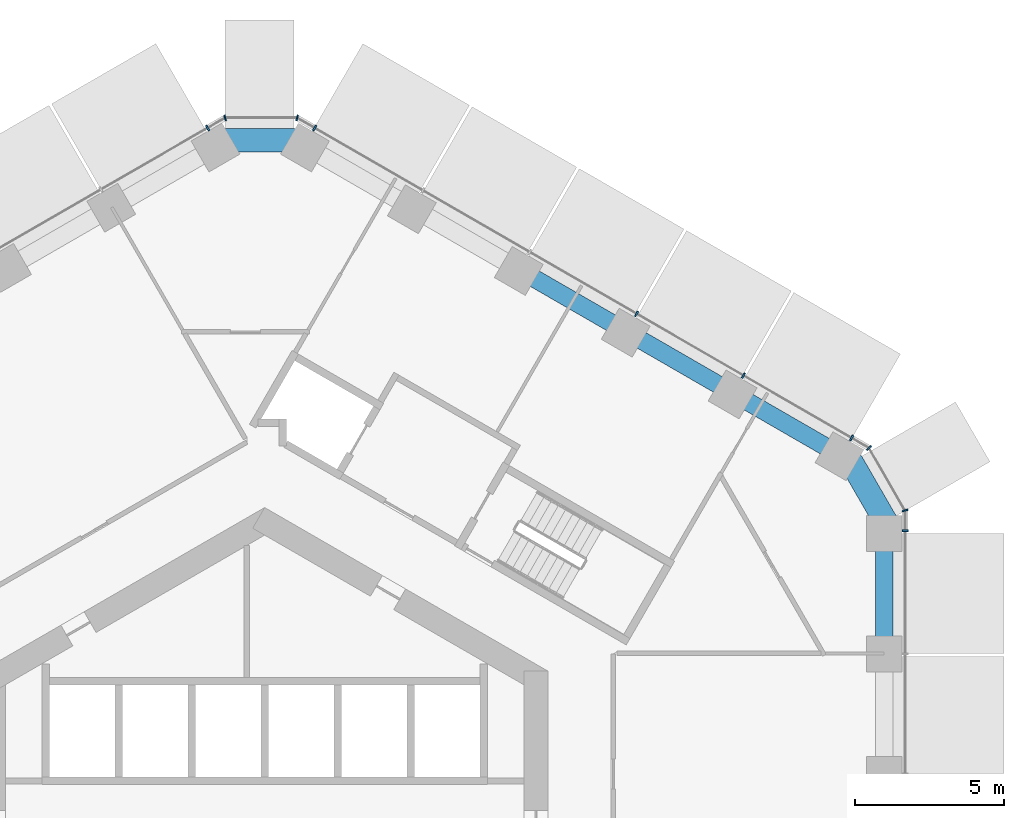
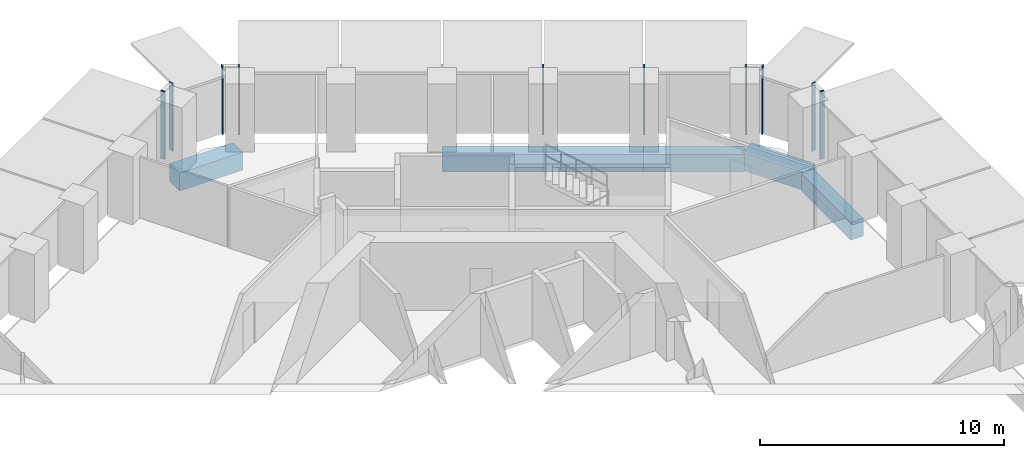
# One storey, part 6 of 19: 10 members, 6 beams, 5 elements without a shape of their own.
"""IFC4 building model written with IfcOpenShell, lengths in metres."""

import ifcopenshell
import ifcopenshell.guid

model = None  # the IFC model being written
_history = None  # IfcOwnerHistory: only IFC2X3 demands one
_inside = {}  # id of a spatial element -> (the spatial element, [elements in it])
_under = {}  # id of a project, library or spatial element -> (it, [spatial elements below it])
_declared = {}  # id of a project -> (the project, [libraries it declares])
_typed = {}  # id of a type object -> (the type object, [elements of that type])
_made_of = {}  # id of a material, layer set ... -> (it, [elements and type objects made of it])


def new_model(schema):
    """Start an empty IFC model of exactly this schema.

    Asked for "IFC4X3", IfcOpenShell would pick the latest addendum, in which some entities
    have other attributes; the version numbers below select the first issue.
    IFC2X3 requires an IfcOwnerHistory on every rooted entity: one is made here for all.
    """
    global model, _history
    if schema == "IFC4X3":
        model = ifcopenshell.file(schema_version=(4, 3, 0, 0))
    else:
        model = ifcopenshell.file(schema=schema)
    _inside.clear()
    _under.clear()
    _declared.clear()
    _typed.clear()
    _made_of.clear()
    _history = None
    if model.schema == "IFC2X3":
        org = make("IfcOrganization", Name="unknown")
        user = make(
            "IfcPersonAndOrganization",
            ThePerson=make("IfcPerson", FamilyName="unknown"),
            TheOrganization=org,
        )
        app = make(
            "IfcApplication",
            ApplicationDeveloper=org,
            Version="unknown",
            ApplicationFullName="unknown",
            ApplicationIdentifier="unknown",
        )
        _history = make(
            "IfcOwnerHistory",
            OwningUser=user,
            OwningApplication=app,
            ChangeAction="ADDED",
            CreationDate=0,
        )
    return model


def make(cls, **values):
    """One entity of the class cls with the attributes given. An attribute that is None is left unset."""
    return model.create_entity(
        cls, **{name: value for name, value in values.items() if value is not None}
    )


def rooted(cls, **values):
    """An entity with a GlobalId (a new one), such as an element, a storey or a relation."""
    return make(cls, GlobalId=ifcopenshell.guid.new(), OwnerHistory=_history, **values)


def si_unit(unit_type, name, prefix=None):
    """IfcSIUnit, for example si_unit("LENGTHUNIT", "METRE", prefix="MILLI")."""
    return make("IfcSIUnit", UnitType=unit_type, Prefix=prefix, Name=name)


def assignment(units):
    """IfcUnitAssignment: the units of a project."""
    return None if units is None else make("IfcUnitAssignment", Units=units)


def point(xyz):
    """IfcCartesianPoint."""
    return None if xyz is None else make("IfcCartesianPoint", Coordinates=xyz)


def direction(xyz):
    """IfcDirection."""
    return None if xyz is None else make("IfcDirection", DirectionRatios=xyz)


def frame(location, z_axis=None, x_axis=None):
    """IfcAxis2Placement3D, a coordinate frame: its origin and axes. An axis left out is left unset."""
    return make(
        "IfcAxis2Placement3D",
        Location=point(location),
        Axis=direction(z_axis),
        RefDirection=direction(x_axis),
    )


def frame_2d(location, x_axis=None):
    """IfcAxis2Placement2D, a coordinate frame in the plane: its origin and x axis."""
    return make(
        "IfcAxis2Placement2D", Location=point(location), RefDirection=direction(x_axis)
    )


def origin():
    """The frame at (0, 0, 0) with its axes left unset."""
    return frame((0.0, 0.0, 0.0))


def origin_2d():
    """The frame at (0, 0) in the plane with its x axis left unset."""
    return frame_2d((0.0, 0.0))


def place(relative_to, where):
    """IfcLocalPlacement: puts the frame where relative to a parent placement (None: the world)."""
    return make(
        "IfcLocalPlacement", PlacementRelTo=relative_to, RelativePlacement=where
    )


def context(
    kind, dimensions, precision=None, world=None, true_north=None, identifier=None
):
    """IfcGeometricRepresentationContext, for example the 3D "Model" context."""
    return make(
        "IfcGeometricRepresentationContext",
        ContextIdentifier=identifier,
        ContextType=kind,
        CoordinateSpaceDimension=dimensions,
        Precision=precision,
        WorldCoordinateSystem=world,
        TrueNorth=true_north,
    )


def subcontext(parent, identifier, kind, view, scale=None):
    """IfcGeometricRepresentationSubContext, for example "Body" below "Model"."""
    return make(
        "IfcGeometricRepresentationSubContext",
        ContextIdentifier=identifier,
        ContextType=kind,
        ParentContext=parent,
        TargetScale=scale,
        TargetView=view,
    )


def project(units=None, contexts=None):
    """IfcProject with its units and contexts."""
    return rooted(
        "IfcProject",
        Name="project",
        RepresentationContexts=contexts,
        UnitsInContext=assignment(units),
    )


def spatial(cls, under=None, at=None, **own):
    """A site, building, storey or space (cls), placed at a placement, below another one or the project."""
    s = rooted(cls, ObjectPlacement=at, **own)
    if under is not None:
        _under.setdefault(under.id(), (under, []))[1].append(s)
    return s


def profile(cls, at=None, kind="AREA", **sizes):
    """A parametric profile (cls). Its sizes go by their IFC names, for example OverallWidth=200.0."""
    return make(cls, ProfileType=kind, Position=at, **sizes)


def rectangle(**sizes):
    """IfcRectangleProfileDef."""
    return profile("IfcRectangleProfileDef", **sizes)


def extrude(swept, where, along, depth):
    """IfcExtrudedAreaSolid: the profile swept, set in the frame where, extruded along a direction by depth."""
    return make(
        "IfcExtrudedAreaSolid",
        SweptArea=swept,
        Position=where,
        ExtrudedDirection=direction(along),
        Depth=depth,
    )


def shape(context_of_items, identifier, shape_type, items):
    """IfcShapeRepresentation: the items that make up one representation, for example the "Body"."""
    return make(
        "IfcShapeRepresentation",
        ContextOfItems=context_of_items,
        RepresentationIdentifier=identifier,
        RepresentationType=shape_type,
        Items=items,
    )


def material(Name=None, Category=None):
    """IfcMaterial."""
    return make("IfcMaterial", Name=Name, Category=Category)


def layer(
    of_material, thickness, ventilated=None, Name=None, Category=None, Priority=None
):
    """IfcMaterialLayer: one layer of a wall or slab, of a material (None: an air gap)."""
    return make(
        "IfcMaterialLayer",
        Material=of_material,
        LayerThickness=thickness,
        IsVentilated=ventilated,
        Name=Name,
        Category=Category,
        Priority=Priority,
    )


def layer_set(layers, Name=None):
    """IfcMaterialLayerSet."""
    return make("IfcMaterialLayerSet", MaterialLayers=layers, LayerSetName=Name)


def material_profile(
    of_material, cross_section, Name=None, Category=None, Priority=None
):
    """IfcMaterialProfile: a cross section and its material."""
    return make(
        "IfcMaterialProfile",
        Name=Name,
        Material=of_material,
        Profile=cross_section,
        Priority=Priority,
        Category=Category,
    )


def profile_set(profiles, Name=None, composite=None):
    """IfcMaterialProfileSet."""
    return make(
        "IfcMaterialProfileSet",
        Name=Name,
        MaterialProfiles=profiles,
        CompositeProfile=composite,
    )


def made_of(thing, what):
    """Note that an element or type object is made of a material, layer set ...; save() writes the relation."""
    if what is not None:
        _made_of.setdefault(what.id(), (what, []))[1].append(thing)
    return thing


def type_object(cls, material=None, **own):
    """A type object (cls), such as IfcWallType, which elements share."""
    return made_of(rooted(cls, **own), material)


def element(
    cls,
    number,
    at=None,
    inside=None,
    cuts=None,
    type_object=None,
    material=None,
    context=None,
    identifier="Body",
    shape_type=None,
    held_by="IfcProductDefinitionShape",
    body=None,
    shapes=None,
    **own,
):
    """One element of the class cls, such as IfcWall. Its Tag is "e" and its number.

    at: its placement. inside: the storey or other place that contains it. cuts: it is an
    opening in that element (IfcRelVoidsElement). A single representation is given by context,
    identifier, shape_type and body (its items); several are given by shapes. held_by: the class
    of the entity that holds the representations. save() writes the other relations.
    """
    e = rooted(cls, Tag="e%d" % number, ObjectPlacement=at, **own)
    if body is not None:
        shapes = [shape(context, identifier, shape_type, body)]
    if shapes is not None:
        e.Representation = make(held_by, Representations=shapes)
    if inside is not None:
        _inside.setdefault(inside.id(), (inside, []))[1].append(e)
    if cuts is not None:
        rooted(
            "IfcRelVoidsElement", RelatingBuildingElement=cuts, RelatedOpeningElement=e
        )
    if type_object is not None:
        _typed.setdefault(type_object.id(), (type_object, []))[1].append(e)
    return made_of(e, material)


def aggregate(whole, parts):
    """IfcRelAggregates: a whole, such as a stair, and the parts it consists of."""
    return rooted("IfcRelAggregates", RelatingObject=whole, RelatedObjects=parts)


def save(model, path):
    """Write the relations noted so far, then the file.

    IfcRelAggregates (storeys below a building ...), IfcRelContainedInSpatialStructure (elements
    in a storey), IfcRelDefinesByType, IfcRelAssociatesMaterial and IfcRelDeclares: one each for
    every whole, place, type object, material and project.
    """
    for whole, parts in _under.values():
        aggregate(whole, parts)
    for where, things in _inside.values():
        rooted(
            "IfcRelContainedInSpatialStructure",
            RelatedElements=things,
            RelatingStructure=where,
        )
    for kind, things in _typed.values():
        rooted("IfcRelDefinesByType", RelatedObjects=things, RelatingType=kind)
    for what, things in _made_of.values():
        rooted("IfcRelAssociatesMaterial", RelatedObjects=things, RelatingMaterial=what)
    for by, libraries in _declared.values():
        rooted("IfcRelDeclares", RelatingContext=by, RelatedDefinitions=libraries)
    model.write(path)


model = new_model("IFC4")

# Units and contexts
model_context = context("Model", 3, precision=1e-05, world=origin(), true_north=direction((0.0, 1.0)))
body_context = subcontext(model_context, "Body", "Model", "MODEL_VIEW")
ifc_project = project(units=[si_unit("LENGTHUNIT", "METRE"), si_unit("AREAUNIT", "SQUARE_METRE"), si_unit("VOLUMEUNIT", "CUBIC_METRE"), si_unit("PLANEANGLEUNIT", "RADIAN"), si_unit("MASSUNIT", "GRAM", prefix="KILO")], contexts=[model_context])

# Site, building, storey
site_placement = place(None, origin())
site = spatial("IfcSite", under=ifc_project, at=site_placement, CompositionType="ELEMENT")
building_placement = place(site_placement, origin())
building = spatial("IfcBuilding", under=site, at=building_placement, Name="Ayvan Gate Tower", CompositionType="ELEMENT")
storey_placement = place(building_placement, frame((0.0, 0.0, 32.300048828125)))
storey = spatial("IfcBuildingStorey", under=building, at=storey_placement, Name="L07", CompositionType="ELEMENT", Elevation=32.300048828125)

# Beams
ifc_material_1 = material(Name="Concrete C40/50", Category="concrete")
ifc_material_profile_1 = material_profile(ifc_material_1, rectangle(XDim=0.800048828125, YDim=0.89990234375, at=origin_2d()), Name="RC 800x900")
ifc_profile_set_1 = profile_set([ifc_material_profile_1], Name="Concrete C40/50")
beam_type_1 = type_object("IfcBeamType", Name="Corner spandrel beam RC 800x900 C40/50", PredefinedType="BEAM", material=ifc_profile_set_1)
beam_1_placement = place(storey_placement, frame((20.97509765625, 10.257080078125, -0.800048828125), z_axis=(-0.50002537861, 0.866010750942, 0.0), x_axis=(-0.866010750942, -0.50002537861, 0.0)))
element("IfcBeam", 1, at=beam_1_placement, inside=storey, type_object=beam_type_1, Name="SB-L07-6", PredefinedType="BEAM", context=body_context, shape_type="SweptSolid", body=[
    extrude(rectangle(XDim=0.800048828125, YDim=0.89990234375, at=origin_2d()), origin(), (0.0, 0.0, 1.0), 2.999755859375),
])
beam_2_placement = place(storey_placement, frame((1.395263671875, 23.29345703125, -0.800048828125), z_axis=(-1.0, 0.0, 0.0), x_axis=(0.0, -1.0, 0.0)))
element("IfcBeam", 2, at=beam_2_placement, inside=storey, type_object=beam_type_1, Name="SB-L07-12", PredefinedType="BEAM", context=body_context, shape_type="SweptSolid", body=[
    extrude(rectangle(XDim=0.800048828125, YDim=0.89990234375, at=origin_2d()), origin(), (0.0, 0.0, 1.0), 3.0),
])
ifc_material_profile_2 = material_profile(ifc_material_1, rectangle(XDim=0.60009765625, YDim=0.89990234375, at=origin_2d()), Name="RC 600x900")
ifc_profile_set_2 = profile_set([ifc_material_profile_2], Name="Concrete C40/50")
beam_type_2 = type_object("IfcBeamType", Name="Spandrel beam RC 600x900 C40/50", PredefinedType="BEAM", material=ifc_profile_set_2)
beam_3_placement = place(storey_placement, frame((20.78466796875, 6.088134765625, -0.800048828125), z_axis=(0.0, 1.0, 0.0), x_axis=(-1.0, 0.0, 0.0)))
element("IfcBeam", 3, at=beam_3_placement, inside=storey, type_object=beam_type_2, Name="SB-L07-5", PredefinedType="BEAM", context=body_context, shape_type="SweptSolid", body=[
    extrude(rectangle(XDim=0.60009765625, YDim=0.89990234375, at=origin_2d()), origin(), (0.0, 0.0, 1.0), 4.058837890625),
])
for number, where, z_axis, x_axis, name in (
    (4, (19.28466796875, 12.7451171875, -0.800048828125), (-0.866027148792, 0.499996977546, 0.0), (-0.499996977546, -0.866027148792, 0.0), "SB-L07-7"),
    (5, (15.706787109375, 14.810791015625, -0.800048828125), (-0.866027148792, 0.499996977546, 0.0), (-0.499996977546, -0.866027148792, 0.0), "SB-L07-8"),
    (6, (12.12890625, 16.87646484375, -0.800048828125), (-0.866027148792, 0.499996977546, 0.0), (-0.499996977546, -0.866027148792, 0.0), "SB-L07-9"),
):
    element("IfcBeam", number, at=place(storey_placement, frame(where, z_axis=z_axis, x_axis=x_axis)), inside=storey, type_object=beam_type_2, Name=name, PredefinedType="BEAM", context=body_context, shape_type="SweptSolid", body=[
        extrude(rectangle(XDim=0.60009765625, YDim=0.89990234375, at=origin_2d()), origin(), (0.0, 0.0, 1.0), 4.13134765625),
    ])

# Curtain wall, member
ifc_material_2 = material(Name="Bronze anodised aluminium", Category="aluminium")
ifc_layer_1 = layer(ifc_material_2, 0.199951171875)
ifc_layer_set_1 = layer_set([ifc_layer_1], Name="Bronze anodised aluminium")
curtain_wall_type_1 = type_object("IfcCurtainWallType", Name="Stick curtain wall CW-1", PredefinedType="NOTDEFINED", material=ifc_layer_set_1)
curtain_wall_1_placement = place(storey_placement, origin())
curtain_wall_1 = element("IfcCurtainWall", 7, at=curtain_wall_1_placement, inside=storey, type_object=curtain_wall_type_1, Name="Stick curtain wall CW-1 L07", PredefinedType="NOTDEFINED")
ifc_material_profile_3 = material_profile(ifc_material_2, rectangle(XDim=0.199951171875, YDim=0.06005859375, at=origin_2d()), Name="Stick curtain wall CW-1 mullion 200 x 60")
ifc_profile_set_3 = profile_set([ifc_material_profile_3], Name="Bronze anodised aluminium")
member_type_1 = type_object("IfcMemberType", Name="Stick curtain wall CW-1 mullion 200 x 60", PredefinedType="MULLION", material=ifc_profile_set_3)
member_1_placement = place(storey_placement, frame((-1.914794921875, 23.70263671875, 0.0), z_axis=(0.0, 0.0, 1.0), x_axis=(-0.5, 0.866025403784, 0.0)))
member_1 = element("IfcMember", 8, at=member_1_placement, type_object=member_type_1, Name="CW-1 mullion 1", PredefinedType="MULLION", context=body_context, shape_type="SweptSolid", body=[
    extrude(rectangle(XDim=0.199951171875, YDim=0.06005859375, at=origin_2d()), origin(), (0.0, 0.0, 1.0), 3.39990234375),
])
aggregate(curtain_wall_1, [member_1])

curtain_wall_2_placement = place(storey_placement, origin())
curtain_wall_2 = element("IfcCurtainWall", 9, at=curtain_wall_2_placement, inside=storey, type_object=curtain_wall_type_1, Name="Stick curtain wall CW-1 L07", PredefinedType="NOTDEFINED")
member_2_placement = place(storey_placement, frame((21.484619140625, 10.193115234375, 0.0), z_axis=(0.0, 0.0, 1.0), x_axis=(1.0, 0.0, 0.0)))
member_2 = element("IfcMember", 10, at=member_2_placement, type_object=member_type_1, Name="CW-1 mullion 6", PredefinedType="MULLION", context=body_context, shape_type="SweptSolid", body=[
    extrude(rectangle(XDim=0.199951171875, YDim=0.06005859375, at=origin_2d()), origin(), (0.0, 0.0, 1.0), 3.39990234375),
])
aggregate(curtain_wall_2, [member_2])

# Curtain wall, members
curtain_wall_3_placement = place(storey_placement, origin())
curtain_wall_3 = element("IfcCurtainWall", 11, at=curtain_wall_3_placement, inside=storey, type_object=curtain_wall_type_1, Name="Stick curtain wall CW-1 L07", PredefinedType="NOTDEFINED")
member_3_placement = place(storey_placement, frame((19.6884765625, 13.30419921875, 0.0), z_axis=(0.0, 0.0, 1.0), x_axis=(0.5, 0.866025403784, 0.0)))
member_3 = element("IfcMember", 12, at=member_3_placement, type_object=member_type_1, Name="CW-1 mullion 1", PredefinedType="MULLION", context=body_context, shape_type="SweptSolid", body=[
    extrude(rectangle(XDim=0.199951171875, YDim=0.06005859375, at=origin_2d()), origin(), (0.0, 0.0, 1.0), 3.39990234375),
])
member_4_placement = place(storey_placement, frame((16.063232421875, 15.397216796875, 0.0), z_axis=(0.0, 0.0, 1.0), x_axis=(0.5, 0.866025403784, 0.0)))
member_4 = element("IfcMember", 13, at=member_4_placement, type_object=member_type_1, Name="CW-1 mullion 2", PredefinedType="MULLION", context=body_context, shape_type="SweptSolid", body=[
    extrude(rectangle(XDim=0.199951171875, YDim=0.06005859375, at=origin_2d()), origin(), (0.0, 0.0, 1.0), 3.39990234375),
])
member_5_placement = place(storey_placement, frame((12.47607421875, 17.468017578125, 0.0), z_axis=(0.0, 0.0, 1.0), x_axis=(0.5, 0.866025403784, 0.0)))
member_5 = element("IfcMember", 14, at=member_5_placement, type_object=member_type_1, Name="CW-1 mullion 3", PredefinedType="MULLION", context=body_context, shape_type="SweptSolid", body=[
    extrude(rectangle(XDim=0.199951171875, YDim=0.06005859375, at=origin_2d()), origin(), (0.0, 0.0, 1.0), 3.39990234375),
])
member_6_placement = place(storey_placement, frame((1.677490234375, 23.70263671875, 0.0), z_axis=(0.0, 0.0, 1.0), x_axis=(0.5, 0.866025403784, 0.0)))
member_6 = element("IfcMember", 15, at=member_6_placement, type_object=member_type_1, Name="CW-1 mullion 6", PredefinedType="MULLION", context=body_context, shape_type="SweptSolid", body=[
    extrude(rectangle(XDim=0.199951171875, YDim=0.06005859375, at=origin_2d()), origin(), (0.0, 0.0, 1.0), 3.39990234375),
])
aggregate(curtain_wall_3, [member_3, member_4, member_5, member_6])

ifc_layer_2 = layer(ifc_material_2, 0.199951171875)
ifc_layer_set_2 = layer_set([ifc_layer_2], Name="Bronze anodised aluminium")
curtain_wall_type_2 = type_object("IfcCurtainWallType", Name="Stick curtain wall CW-6", PredefinedType="NOTDEFINED", material=ifc_layer_set_2)
curtain_wall_4_placement = place(storey_placement, origin())
curtain_wall_4 = element("IfcCurtainWall", 16, at=curtain_wall_4_placement, inside=storey, type_object=curtain_wall_type_2, Name="Stick curtain wall CW-6 L07", PredefinedType="NOTDEFINED")
ifc_material_profile_4 = material_profile(ifc_material_2, rectangle(XDim=0.199951171875, YDim=0.050048828125, at=origin_2d()), Name="Stick curtain wall CW-6 mullion 200 x 50")
ifc_profile_set_4 = profile_set([ifc_material_profile_4], Name="Bronze anodised aluminium")
member_type_2 = type_object("IfcMemberType", Name="Stick curtain wall CW-6 mullion 200 x 50", PredefinedType="MULLION", material=ifc_profile_set_4)
member_7_placement = place(storey_placement, frame((21.484619140625, 10.873046875, 0.0), z_axis=(0.0, 0.0, 1.0), x_axis=(0.965925826289, 0.258819045103, 0.0)))
member_7 = element("IfcMember", 17, at=member_7_placement, type_object=member_type_2, Name="CW-6 mullion 2", PredefinedType="MULLION", context=body_context, shape_type="SweptSolid", body=[
    extrude(rectangle(XDim=0.199951171875, YDim=0.050048828125, at=origin_2d()), origin(), (0.0, 0.0, 1.0), 3.39990234375),
])
member_8_placement = place(storey_placement, frame((20.27734375, 12.964111328125, 0.0), z_axis=(0.0, 0.0, 1.0), x_axis=(0.707106781187, 0.707106781187, 0.0)))
member_8 = element("IfcMember", 18, at=member_8_placement, type_object=member_type_2, Name="CW-6 mullion 3", PredefinedType="MULLION", context=body_context, shape_type="SweptSolid", body=[
    extrude(rectangle(XDim=0.199951171875, YDim=0.050048828125, at=origin_2d()), origin(), (0.0, 0.0, 1.0), 3.39990234375),
])
aggregate(curtain_wall_4, [member_7, member_8])

curtain_wall_5_placement = place(storey_placement, origin())
curtain_wall_5 = element("IfcCurtainWall", 19, at=curtain_wall_5_placement, inside=storey, type_object=curtain_wall_type_2, Name="Stick curtain wall CW-6 L07", PredefinedType="NOTDEFINED")
member_9_placement = place(storey_placement, frame((1.088623046875, 24.042724609375, 0.0), z_axis=(0.0, 0.0, 1.0), x_axis=(0.258819045103, 0.965925826289, 0.0)))
member_9 = element("IfcMember", 20, at=member_9_placement, type_object=member_type_2, Name="CW-6 mullion 2", PredefinedType="MULLION", context=body_context, shape_type="SweptSolid", body=[
    extrude(rectangle(XDim=0.199951171875, YDim=0.050048828125, at=origin_2d()), origin(), (0.0, 0.0, 1.0), 3.39990234375),
])
member_10_placement = place(storey_placement, frame((-1.325927734375, 24.042724609375, 0.0), z_axis=(0.0, 0.0, 1.0), x_axis=(-0.258819045103, 0.965925826289, 0.0)))
member_10 = element("IfcMember", 21, at=member_10_placement, type_object=member_type_2, Name="CW-6 mullion 3", PredefinedType="MULLION", context=body_context, shape_type="SweptSolid", body=[
    extrude(rectangle(XDim=0.199951171875, YDim=0.050048828125, at=origin_2d()), origin(), (0.0, 0.0, 1.0), 3.39990234375),
])
aggregate(curtain_wall_5, [member_9, member_10])

save(model, "model.ifc")
